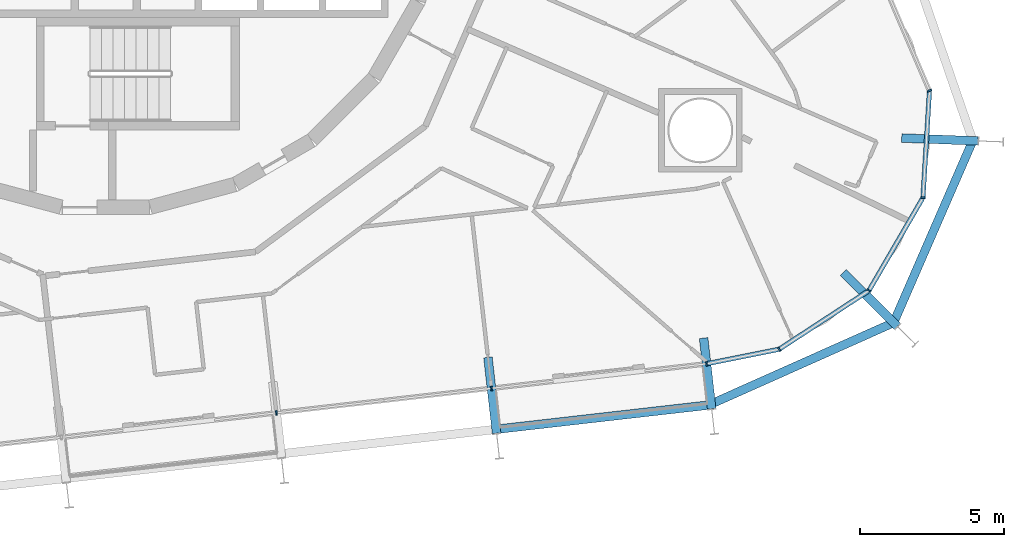
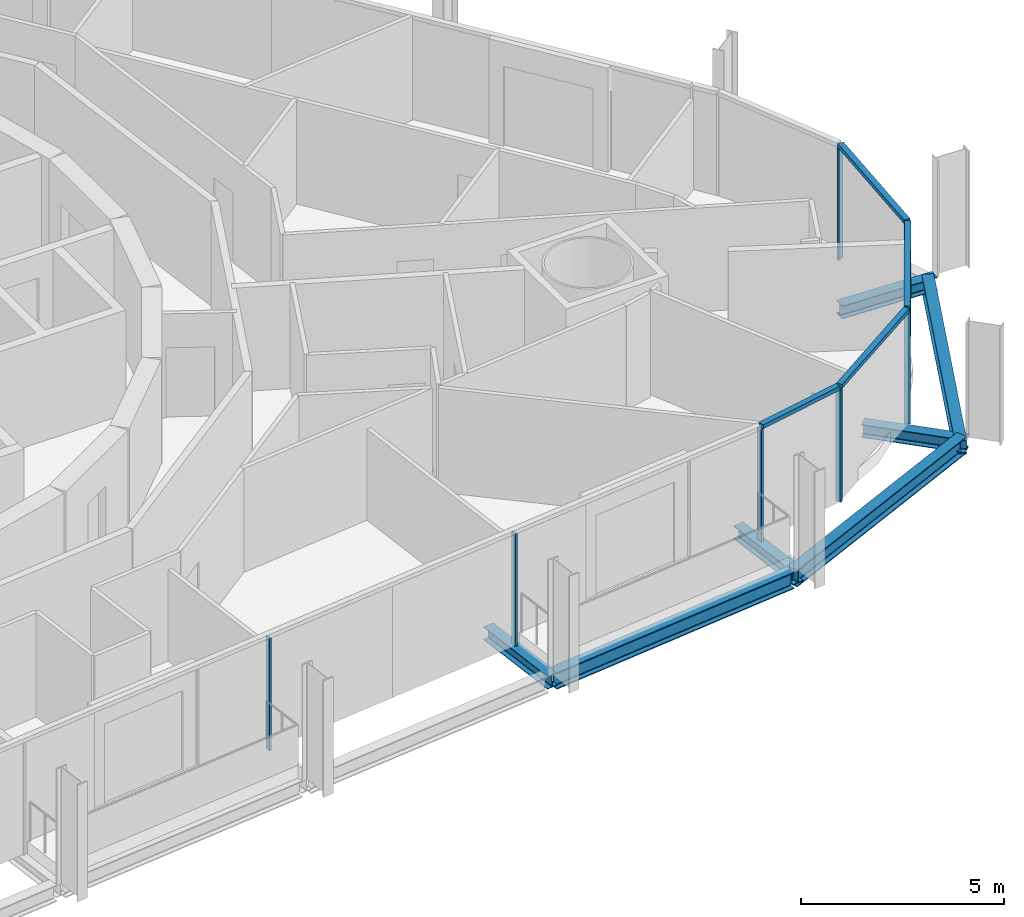
# One storey, part 7 of 22: 11 members, 7 beams, 2 elements without a shape of their own.
"""IFC4 building model written with IfcOpenShell, lengths in metres."""

from ifc_helpers import new_model, si_unit, direction, frame, origin, origin_2d, place, context, subcontext, project, spatial, rectangle, i_section, extrude, material, layer, layer_set, material_profile, profile_set, type_object, element, aggregate, save


model = new_model("IFC4")

# Units and contexts
model_context = context("Model", 3, precision=1e-05, world=origin(), true_north=direction((0.0, 1.0)))
body_context = subcontext(model_context, "Body", "Model", "MODEL_VIEW")
ifc_project = project(units=[si_unit("LENGTHUNIT", "METRE"), si_unit("AREAUNIT", "SQUARE_METRE"), si_unit("VOLUMEUNIT", "CUBIC_METRE"), si_unit("PLANEANGLEUNIT", "RADIAN"), si_unit("MASSUNIT", "GRAM", prefix="KILO")], contexts=[model_context])

# Site, building, storey
site_placement = place(None, origin())
site = spatial("IfcSite", under=ifc_project, at=site_placement, CompositionType="ELEMENT")
building_placement = place(site_placement, origin())
building = spatial("IfcBuilding", under=site, at=building_placement, Name="Spindle Arch Residences", CompositionType="ELEMENT")
storey_placement = place(building_placement, frame((0.0, 0.0, 80.199951171875)))
storey = spatial("IfcBuildingStorey", under=building, at=storey_placement, Name="L18", CompositionType="ELEMENT", Elevation=80.199951171875)

# Curtain wall, members
ifc_material_1 = material(Name="Aluminium bronze unitised frame with tinted glass", Category="aluminium")
ifc_layer_1 = layer(ifc_material_1, 0.159912109375)
ifc_layer_set_1 = layer_set([ifc_layer_1], Name="CW-D corner wall on the fillet arcs")
curtain_wall_type_1 = type_object("IfcCurtainWallType", Name="CW-D corner wall on the fillet arcs", PredefinedType="NOTDEFINED", material=ifc_layer_set_1)
curtain_wall_1_placement = place(storey_placement, origin())
curtain_wall_1 = element("IfcCurtainWall", 1, at=curtain_wall_1_placement, inside=storey, type_object=curtain_wall_type_1, Name="CW-D L18 run 1", PredefinedType="NOTDEFINED")
ifc_material_2 = material(Name="Aluminium bronze anodised mullion", Category="aluminium")
ifc_material_profile_1 = material_profile(ifc_material_2, rectangle(XDim=0.159912109375, YDim=0.06005859375, at=origin_2d()), Name="MU 60x160")
ifc_profile_set_1 = profile_set([ifc_material_profile_1], Name="Aluminium bronze anodised mullion")
member_type_1 = type_object("IfcMemberType", Name="Bronze mullion 60x160", PredefinedType="MULLION", material=ifc_profile_set_1)
member_1_placement = place(storey_placement, frame((20.865234375, -17.085205078125, -0.3798828125), z_axis=(0.0, 0.0, 1.0), x_axis=(-0.196863041416, 0.980430998553, 0.0)))
member_1 = element("IfcMember", 2, at=member_1_placement, type_object=member_type_1, Name="CW-D mullion 00", PredefinedType="MULLION", context=body_context, shape_type="SweptSolid", body=[
    extrude(rectangle(XDim=0.159912109375, YDim=0.06005859375, at=origin_2d()), origin(), (0.0, 0.0, 1.0), 3.3798828125),
])
member_2_placement = place(storey_placement, frame((23.38916015625, -16.57861328125, -0.3798828125), z_axis=(0.0, 0.0, 1.0), x_axis=(-0.547076323657, 0.83708272954, 0.0)))
member_2 = element("IfcMember", 3, at=member_2_placement, type_object=member_type_1, Name="CW-D mullion 01", PredefinedType="MULLION", context=body_context, shape_type="SweptSolid", body=[
    extrude(rectangle(XDim=0.159912109375, YDim=0.06005859375, at=origin_2d()), origin(), (0.0, 0.0, 1.0), 3.3798828125),
])
member_3_placement = place(storey_placement, frame((26.508544921875, -14.539794921875, -0.3798828125), z_axis=(0.0, 0.0, 1.0), x_axis=(-0.864567301682, 0.502517045345, 0.0)))
member_3 = element("IfcMember", 4, at=member_3_placement, type_object=member_type_1, Name="CW-D mullion 02", PredefinedType="MULLION", context=body_context, shape_type="SweptSolid", body=[
    extrude(rectangle(XDim=0.159912109375, YDim=0.06005859375, at=origin_2d()), origin(), (0.0, 0.0, 1.0), 3.3798828125),
])
member_4_placement = place(storey_placement, frame((28.38134765625, -11.317626953125, -0.3798828125), z_axis=(0.0, 0.0, 1.0), x_axis=(-0.998134798631, 0.06104853612, 0.0)))
member_4 = element("IfcMember", 5, at=member_4_placement, type_object=member_type_1, Name="CW-D mullion 03", PredefinedType="MULLION", context=body_context, shape_type="SweptSolid", body=[
    extrude(rectangle(XDim=0.159912109375, YDim=0.06005859375, at=origin_2d()), origin(), (0.0, 0.0, 1.0), 3.3798828125),
])
member_5_placement = place(storey_placement, frame((28.60888671875, -7.597900390625, -0.3798828125), z_axis=(0.0, 0.0, 1.0), x_axis=(-0.919364369298, -0.393407112882, 0.0)))
member_5 = element("IfcMember", 6, at=member_5_placement, type_object=member_type_1, Name="CW-D mullion 04", PredefinedType="MULLION", context=body_context, shape_type="SweptSolid", body=[
    extrude(rectangle(XDim=0.159912109375, YDim=0.06005859375, at=origin_2d()), origin(), (0.0, 0.0, 1.0), 3.3798828125),
])

ifc_material_3 = material(Name="Aluminium bronze unitised frame with tinted glass", Category="aluminium")
ifc_layer_2 = layer(ifc_material_3, 0.159912109375)
ifc_layer_set_2 = layer_set([ifc_layer_2], Name="CW-C typical residential unitised wall")
curtain_wall_type_2 = type_object("IfcCurtainWallType", Name="CW-C typical residential unitised wall", PredefinedType="NOTDEFINED", material=ifc_layer_set_2)
curtain_wall_2_placement = place(storey_placement, origin())
curtain_wall_2 = element("IfcCurtainWall", 7, at=curtain_wall_2_placement, inside=storey, type_object=curtain_wall_type_2, Name="CW-C L18 run 6", PredefinedType="NOTDEFINED")
member_6_placement = place(storey_placement, frame((5.92431640625, -18.78759765625, -0.3798828125), z_axis=(0.0, 0.0, 1.0), x_axis=(-0.113203213768, 0.993571855677, 0.0)))
member_6 = element("IfcMember", 8, at=member_6_placement, type_object=member_type_1, Name="CW-C mullion 00", PredefinedType="MULLION", context=body_context, shape_type="SweptSolid", body=[
    extrude(rectangle(XDim=0.159912109375, YDim=0.06005859375, at=origin_2d()), origin(), (0.0, 0.0, 1.0), 3.3798828125),
])
member_7_placement = place(storey_placement, frame((13.394775390625, -17.9365234375, -0.3798828125), z_axis=(0.0, 0.0, 1.0), x_axis=(-0.113203213768, 0.993571855677, 0.0)))
member_7 = element("IfcMember", 9, at=member_7_placement, type_object=member_type_1, Name="CW-C mullion 01", PredefinedType="MULLION", context=body_context, shape_type="SweptSolid", body=[
    extrude(rectangle(XDim=0.159912109375, YDim=0.06005859375, at=origin_2d()), origin(), (0.0, 0.0, 1.0), 3.3798828125),
])
aggregate(curtain_wall_2, [member_6, member_7])

# Member
ifc_material_4 = material(Name="Aluminium bronze anodised transom", Category="aluminium")
ifc_material_profile_2 = material_profile(ifc_material_4, rectangle(XDim=0.159912109375, YDim=0.1201171875, at=origin_2d()), Name="TR 120x160")
ifc_profile_set_2 = profile_set([ifc_material_profile_2], Name="Aluminium bronze anodised transom")
member_type_2 = type_object("IfcMemberType", Name="Bronze transom 120x160", PredefinedType="USERDEFINED", material=ifc_profile_set_2)
member_8_placement = place(storey_placement, frame((20.894775390625, -17.079345703125, 3.06005859375), z_axis=(0.980434738394, 0.196844415088, 0.0), x_axis=(-0.196844415088, 0.980434738394, 0.0)))
member_8 = element("IfcMember", 10, at=member_8_placement, type_object=member_type_2, Name="CW-D transom 00", ObjectType="TRANSOM", PredefinedType="USERDEFINED", context=body_context, shape_type="SweptSolid", body=[
    extrude(rectangle(XDim=0.159912109375, YDim=0.1201171875, at=origin_2d()), origin(), (0.0, 0.0, 1.0), 2.513916015625),
])

member_9_placement = place(storey_placement, frame((23.4140625, -16.562255859375, 3.06005859375), z_axis=(0.837085709997, 0.547071763226, 0.0), x_axis=(-0.547071763226, 0.837085709997, 0.0)))
member_9 = element("IfcMember", 11, at=member_9_placement, type_object=member_type_2, Name="CW-D transom 01", ObjectType="TRANSOM", PredefinedType="USERDEFINED", context=body_context, shape_type="SweptSolid", body=[
    extrude(rectangle(XDim=0.159912109375, YDim=0.1201171875, at=origin_2d()), origin(), (0.0, 0.0, 1.0), 3.6669921875),
])

member_10_placement = place(storey_placement, frame((26.523681640625, -14.513916015625, 3.06005859375), z_axis=(0.502549865263, 0.864548224753, 0.0), x_axis=(-0.864548224753, 0.502549865263, 0.0)))
member_10 = element("IfcMember", 12, at=member_10_placement, type_object=member_type_2, Name="CW-D transom 02", ObjectType="TRANSOM", PredefinedType="USERDEFINED", context=body_context, shape_type="SweptSolid", body=[
    extrude(rectangle(XDim=0.159912109375, YDim=0.1201171875, at=origin_2d()), origin(), (0.0, 0.0, 1.0), 3.666748046875),
])

member_11_placement = place(storey_placement, frame((28.38330078125, -11.287841796875, 3.06005859375), z_axis=(0.061055913319, 0.998134347395, 0.0), x_axis=(-0.998134347395, 0.061055913319, 0.0)))
member_11 = element("IfcMember", 13, at=member_11_placement, type_object=member_type_2, Name="CW-D transom 03", ObjectType="TRANSOM", PredefinedType="USERDEFINED", context=body_context, shape_type="SweptSolid", body=[
    extrude(rectangle(XDim=0.159912109375, YDim=0.1201171875, at=origin_2d()), origin(), (0.0, 0.0, 1.0), 3.666748046875),
])

aggregate(curtain_wall_1, [member_1, member_8, member_2, member_9, member_3, member_10, member_4, member_11, member_5])

# Beams
ifc_material_5 = material(Name="Steel S460ML, intumescent coating R 120", Category="steel")
ifc_material_profile_3 = material_profile(ifc_material_5, i_section(OverallWidth=0.300048828125, OverallDepth=0.5, WebThickness=0.014404296875, FlangeThickness=0.028076171875, FilletRadius=0.027099609375, at=origin_2d()), Name="HEB 500")
ifc_profile_set_3 = profile_set([ifc_material_profile_3], Name="Steel S460ML, intumescent coating R 120")
beam_type_1 = type_object("IfcBeamType", Name="Exoskeleton edge beam HEB 500", PredefinedType="BEAM", material=ifc_profile_set_3)
beam_1_placement = place(storey_placement, frame((13.686279296875, -19.345703125, -0.6298828125), z_axis=(0.993567208644, 0.113243992807, 0.0), x_axis=(-0.113243992807, 0.993567208644, 0.0)))
element("IfcBeam", 14, at=beam_1_placement, inside=storey, type_object=beam_type_1, Name="Exoskeleton edge beam 2", PredefinedType="BEAM", context=body_context, shape_type="SweptSolid", body=[
    extrude(i_section(OverallWidth=0.300048828125, OverallDepth=0.5, WebThickness=0.014404296875, FlangeThickness=0.028076171875, FilletRadius=0.027099609375, at=origin_2d()), origin(), (0.0, 0.0, 1.0), 7.2587890625),
])
beam_2_placement = place(storey_placement, frame((20.956787109375, -18.510986328125, -0.6298828125), z_axis=(0.913358271861, 0.407156809133, 0.0), x_axis=(-0.407156809133, 0.913358271861, 0.0)))
element("IfcBeam", 15, at=beam_2_placement, inside=storey, type_object=beam_type_1, Name="Exoskeleton edge beam 3", PredefinedType="BEAM", context=body_context, shape_type="SweptSolid", body=[
    extrude(i_section(OverallWidth=0.300048828125, OverallDepth=0.5, WebThickness=0.014404296875, FlangeThickness=0.028076171875, FilletRadius=0.027099609375, at=origin_2d()), origin(), (0.0, 0.0, 1.0), 7.09423828125),
])
beam_3_placement = place(storey_placement, frame((27.324462890625, -15.74462890625, -0.6298828125), z_axis=(0.398753826639, 0.917058005658, 0.0), x_axis=(-0.917058005658, 0.398753826639, 0.0)))
element("IfcBeam", 16, at=beam_3_placement, inside=storey, type_object=beam_type_1, Name="Exoskeleton edge beam 4", PredefinedType="BEAM", context=body_context, shape_type="SweptSolid", body=[
    extrude(i_section(OverallWidth=0.300048828125, OverallDepth=0.5, WebThickness=0.014404296875, FlangeThickness=0.028076171875, FilletRadius=0.027099609375, at=origin_2d()), origin(), (0.0, 0.0, 1.0), 7.086181640625),
])
ifc_material_6 = material(Name="Steel S460ML, intumescent coating R 120", Category="steel")
ifc_material_profile_4 = material_profile(ifc_material_6, i_section(OverallWidth=0.300048828125, OverallDepth=0.389892578125, WebThickness=0.010986328125, FlangeThickness=0.01904296875, FilletRadius=0.027099609375, at=origin_2d()), Name="HEA 400")
ifc_profile_set_4 = profile_set([ifc_material_profile_4], Name="Steel S460ML, intumescent coating R 120")
beam_type_2 = type_object("IfcBeamType", Name="Floor outrigger HEA 400", PredefinedType="BEAM", material=ifc_profile_set_4)
beam_4_placement = place(storey_placement, frame((13.572509765625, -19.496337890625, -0.574951171875), z_axis=(-0.113130863078, 0.993580096328, 0.0), x_axis=(-0.993580096328, -0.113130863078, 0.0)))
element("IfcBeam", 17, at=beam_4_placement, inside=storey, type_object=beam_type_2, Name="Floor outrigger 2", PredefinedType="BEAM", context=body_context, shape_type="SweptSolid", body=[
    extrude(i_section(OverallWidth=0.300048828125, OverallDepth=0.389892578125, WebThickness=0.010986328125, FlangeThickness=0.01904296875, FilletRadius=0.027099609375, at=origin_2d()), origin(), (0.0, 0.0, 1.0), 2.650146484375),
])
beam_5_placement = place(storey_placement, frame((21.043212890625, -18.645263671875, -0.574951171875), z_axis=(-0.113326452293, 0.993557806678, 0.0), x_axis=(-0.993557806678, -0.113326452293, 0.0)))
element("IfcBeam", 18, at=beam_5_placement, inside=storey, type_object=beam_type_2, Name="Floor outrigger 3", PredefinedType="BEAM", context=body_context, shape_type="SweptSolid", body=[
    extrude(i_section(OverallWidth=0.300048828125, OverallDepth=0.389892578125, WebThickness=0.010986328125, FlangeThickness=0.01904296875, FilletRadius=0.027099609375, at=origin_2d()), origin(), (0.0, 0.0, 1.0), 2.470947265625),
])
beam_6_placement = place(storey_placement, frame((27.49169921875, -15.78076171875, -0.574951171875), z_axis=(-0.709222613683, 0.704984598584, 0.0), x_axis=(-0.704984598584, -0.709222613683, 0.0)))
element("IfcBeam", 19, at=beam_6_placement, inside=storey, type_object=beam_type_2, Name="Floor outrigger 4", PredefinedType="BEAM", context=body_context, shape_type="SweptSolid", body=[
    extrude(i_section(OverallWidth=0.300048828125, OverallDepth=0.389892578125, WebThickness=0.010986328125, FlangeThickness=0.01904296875, FilletRadius=0.027099609375, at=origin_2d()), origin(), (0.0, 0.0, 1.0), 2.64990234375),
])
beam_7_placement = place(storey_placement, frame((30.290771484375, -9.34375, -0.574951171875), z_axis=(-0.999282920946, 0.037863490413, 0.0), x_axis=(-0.037863490413, -0.999282920946, 0.0)))
element("IfcBeam", 20, at=beam_7_placement, inside=storey, type_object=beam_type_2, Name="Floor outrigger 5", PredefinedType="BEAM", context=body_context, shape_type="SweptSolid", body=[
    extrude(i_section(OverallWidth=0.300048828125, OverallDepth=0.389892578125, WebThickness=0.010986328125, FlangeThickness=0.01904296875, FilletRadius=0.027099609375, at=origin_2d()), origin(), (0.0, 0.0, 1.0), 2.650146484375),
])

save(model, "model.ifc")
